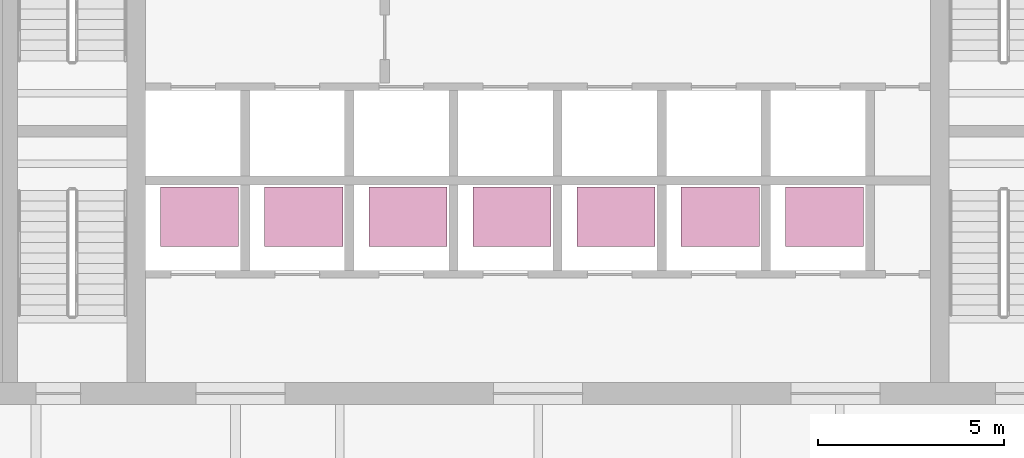
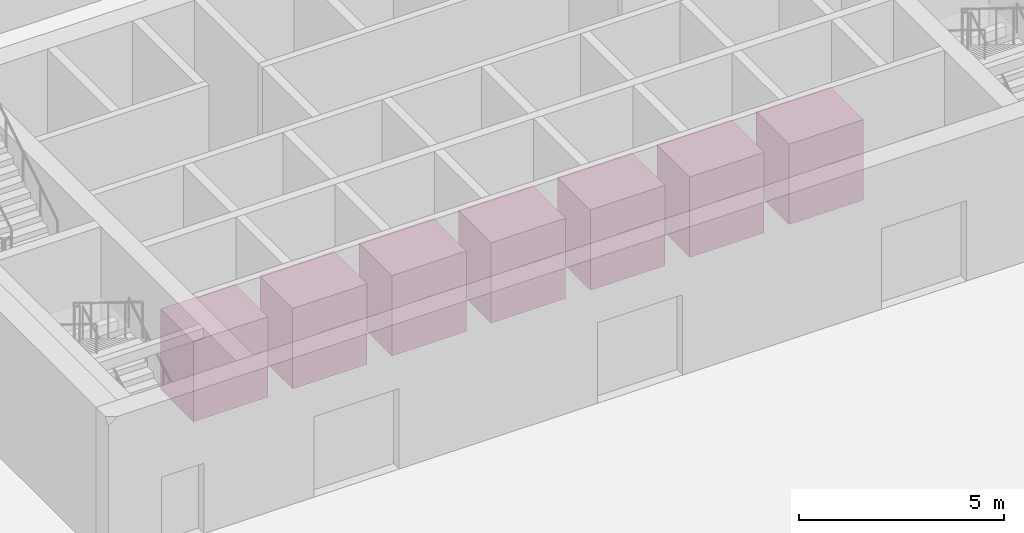
# One storey, part 21 of 21: 7 transport elements.
"""IFC4 building model written with IfcOpenShell, lengths in metres."""

from ifc_helpers import new_model, si_unit, direction, frame, origin, origin_2d, place, context, subcontext, project, spatial, rectangle, extrude, material, type_object, element, save


model = new_model("IFC4")

# Units and contexts
model_context = context("Model", 3, precision=1e-05, world=origin(), true_north=direction((0.0, 1.0)))
body_context = subcontext(model_context, "Body", "Model", "MODEL_VIEW")
ifc_project = project(units=[si_unit("LENGTHUNIT", "METRE"), si_unit("AREAUNIT", "SQUARE_METRE"), si_unit("VOLUMEUNIT", "CUBIC_METRE"), si_unit("PLANEANGLEUNIT", "RADIAN"), si_unit("MASSUNIT", "GRAM", prefix="KILO")], contexts=[model_context])

# Site, building, storey
site_placement = place(None, origin())
site = spatial("IfcSite", under=ifc_project, at=site_placement, CompositionType="ELEMENT")
building_placement = place(site_placement, origin())
building = spatial("IfcBuilding", under=site, at=building_placement, Name="Isthmus Gate Tower", CompositionType="ELEMENT")
storey_placement = place(building_placement, frame((0.0, 0.0, 211.800048828125)))
storey = spatial("IfcBuildingStorey", under=building, at=storey_placement, Name="L53", CompositionType="ELEMENT", Elevation=211.800048828125)

# Transport elements
ifc_material = material(Name="Stainless steel and laminated glass car", Category="steel")
transport_element_type = type_object("IfcTransportElementType", Name="LIFT CAR 2100 X 1600 1800 KG", PredefinedType="ELEVATOR", material=ifc_material)
for number, where, z_axis, x_axis, name in (
    (1, (-9.10009765625, 5.050048828125, 0.0), (0.0, 0.0, 1.0), (1.0, 0.0, 0.0), "Lift LC1"),
    (2, (-6.300048828125, 5.050048828125, 0.0), (0.0, 0.0, 1.0), (1.0, 0.0, 0.0), "Lift LC2"),
    (3, (-3.5, 5.050048828125, 0.0), (0.0, 0.0, 1.0), (1.0, 0.0, 0.0), "Lift LC3"),
    (4, (-0.699951171875, 5.050048828125, 0.0), (0.0, 0.0, 1.0), (1.0, 0.0, 0.0), "Lift LC4"),
    (5, (2.10009765625, 5.050048828125, 0.0), (0.0, 0.0, 1.0), (1.0, 0.0, 0.0), "Lift LC5"),
    (6, (4.89990234375, 5.050048828125, 0.0), (0.0, 0.0, 1.0), (1.0, 0.0, 0.0), "Lift LC6"),
    (7, (7.699951171875, 5.050048828125, 0.0), (0.0, 0.0, 1.0), (1.0, 0.0, 0.0), "Lift LC7"),
):
    element("IfcTransportElement", number, at=place(storey_placement, frame(where, z_axis=z_axis, x_axis=x_axis)), inside=storey, type_object=transport_element_type, Name=name, PredefinedType="ELEVATOR", context=body_context, shape_type="SweptSolid", body=[
        extrude(rectangle(XDim=2.10009765625, YDim=1.60009765625, at=origin_2d()), origin(), (0.0, 0.0, 1.0), 2.39990234375),
    ])

save(model, "model.ifc")
